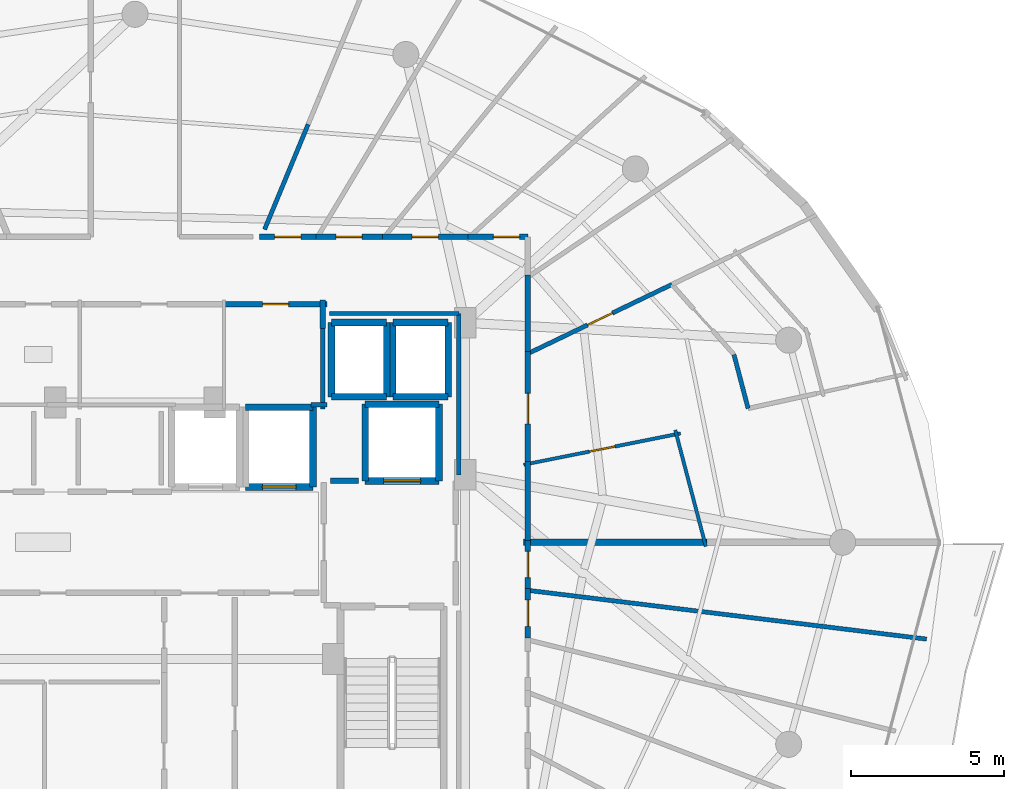
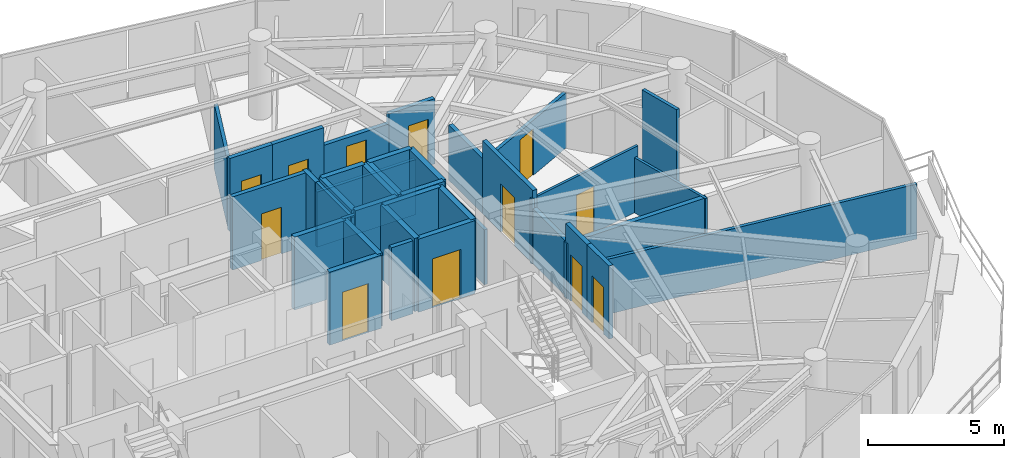
# One storey, part 24 of 29: 38 walls, 12 doors, 12 openings.
"""IFC4 building model written with IfcOpenShell, lengths in metres."""

from ifc_helpers import new_model, si_unit, direction, frame, frame_2d, origin, place, context, subcontext, project, spatial, rectangle, extrude, material, layer, layer_set, type_object, element, fill, save


model = new_model("IFC4")

# Units and contexts
model_context = context("Model", 3, precision=1e-05, world=origin(), true_north=direction((0.0, 1.0)))
body_context = subcontext(model_context, "Body", "Model", "MODEL_VIEW")
ifc_project = project(units=[si_unit("LENGTHUNIT", "METRE"), si_unit("AREAUNIT", "SQUARE_METRE"), si_unit("VOLUMEUNIT", "CUBIC_METRE"), si_unit("PLANEANGLEUNIT", "RADIAN"), si_unit("MASSUNIT", "GRAM", prefix="KILO")], contexts=[model_context])

# Site, building, storey
site_placement = place(None, origin())
site = spatial("IfcSite", under=ifc_project, at=site_placement, CompositionType="ELEMENT")
building_placement = place(site_placement, origin())
building = spatial("IfcBuilding", under=site, at=building_placement, Name="Vorneva Point Tower", CompositionType="ELEMENT")
storey_placement = place(building_placement, frame((0.0, 0.0, 259.10009765625)))
storey = spatial("IfcBuildingStorey", under=building, at=storey_placement, Name="L70", CompositionType="ELEMENT", Elevation=259.10009765625)

# Wall, opening, door
ifc_material_1 = material(Name="Concrete B60 (C50/60)", Category="concrete")
ifc_layer_1 = layer(ifc_material_1, 0.35009765625)
ifc_layer_set_1 = layer_set([ifc_layer_1], Name="Concrete B60 (C50/60)")
wall_type_1 = type_object("IfcWallType", Name="WL-CORE-350", PredefinedType="SHEAR", material=ifc_layer_set_1)
wall_1_placement = place(storey_placement, frame((45.5, 28.0, 0.0), z_axis=(0.0, 0.0, 1.0), x_axis=(1.0, 0.0, 0.0)))
wall_1 = element("IfcWall", 1, at=wall_1_placement, inside=storey, type_object=wall_type_1, Name="L70 Lift FFL2 Shaft Wall -Y", PredefinedType="SHEAR", context=body_context, shape_type="SweptSolid", body=[
    extrude(rectangle(XDim=2.39990234375, YDim=0.219970703125, at=frame_2d((1.199951171875, 0.0))), origin(), (0.0, 0.0, 1.0), 3.289794921875),
])
opening_1_placement = place(wall_1_placement, frame((0.60009765625, 0.0, 0.0)))
opening_1 = element("IfcOpeningElement", 2, at=opening_1_placement, cuts=wall_1, Name="Opening LD-02", PredefinedType="OPENING", context=body_context, shape_type="SweptSolid", body=[
    extrude(rectangle(XDim=1.199951171875, YDim=2.199951171875, at=frame_2d((0.60009765625, 1.10009765625))), frame((0.0, 0.125, 0.0), z_axis=(0.0, -1.0, 0.0), x_axis=(1.0, 0.0, 0.0)), (0.0, 0.0, 1.0), 0.249755859375),
])
ifc_material_2 = material(Name="Brushed stainless steel S304", Category="steel")
door_type_1 = type_object("IfcDoorType", Name="LD-FIRE-1200", OperationType="SLIDING_TO_LEFT", PredefinedType="DOOR", material=ifc_material_2)
door_1_placement = place(opening_1_placement, origin())
door_1 = element("IfcDoor", 3, at=door_1_placement, inside=storey, type_object=door_type_1, Name="L70 Lift FFL2 Sliding Landing Door", OperationType="SLIDING_TO_LEFT", OverallHeight=2.199951171875, OverallWidth=1.199951171875, PredefinedType="DOOR", context=body_context, shape_type="SweptSolid", body=[
    extrude(rectangle(XDim=1.199951171875, YDim=2.199951171875, at=frame_2d((0.60009765625, 1.10009765625))), frame((0.0, 0.02490234375, 0.0), z_axis=(0.0, -1.0, 0.0), x_axis=(1.0, 0.0, 0.0)), (0.0, 0.0, 1.0), 0.050048828125),
])
fill(opening_1, door_1)

# Walls
wall_2_placement = place(storey_placement, frame((47.89990234375, 28.0, 0.0), z_axis=(0.0, 0.0, 1.0), x_axis=(0.0, 1.0, 0.0)))
element("IfcWall", 4, at=wall_2_placement, inside=storey, type_object=wall_type_1, Name="L70 Lift FFL2 Shaft Wall +X", PredefinedType="SHEAR", context=body_context, shape_type="SweptSolid", body=[
    extrude(rectangle(XDim=2.5, YDim=0.219970703125, at=frame_2d((1.25, 0.0))), origin(), (0.0, 0.0, 1.0), 3.289794921875),
])
wall_3_placement = place(storey_placement, frame((47.89990234375, 30.5, 0.0), z_axis=(0.0, 0.0, 1.0), x_axis=(-1.0, 0.0, 0.0)))
element("IfcWall", 5, at=wall_3_placement, inside=storey, type_object=wall_type_1, Name="L70 Lift FFL2 Shaft Wall +Y", PredefinedType="SHEAR", context=body_context, shape_type="SweptSolid", body=[
    extrude(rectangle(XDim=2.39990234375, YDim=0.219970703125, at=frame_2d((1.199951171875, 0.0))), origin(), (0.0, 0.0, 1.0), 3.289794921875),
])
wall_4_placement = place(storey_placement, frame((45.5, 30.5, 0.0), z_axis=(0.0, 0.0, 1.0), x_axis=(0.0, -1.0, 0.0)))
element("IfcWall", 6, at=wall_4_placement, inside=storey, type_object=wall_type_1, Name="L70 Lift FFL2 Shaft Wall -X", PredefinedType="SHEAR", context=body_context, shape_type="SweptSolid", body=[
    extrude(rectangle(XDim=2.5, YDim=0.219970703125, at=frame_2d((1.25, 0.0))), origin(), (0.0, 0.0, 1.0), 3.289794921875),
])

# Wall, opening, door
ifc_material_3 = material(Name="Fire-rated acoustic gypsum stud partition", Category="gypsum")
ifc_layer_2 = layer(ifc_material_3, 0.110107421875)
ifc_layer_set_2 = layer_set([ifc_layer_2], Name="Fire-rated acoustic gypsum stud partition")
wall_type_2 = type_object("IfcWallType", Name="WL-PART-110", PredefinedType="PARTITIONING", material=ifc_layer_set_2)
wall_5_placement = place(storey_placement, frame((50.66259765625, 28.526611328125, 0.0), z_axis=(0.0, 0.0, 1.0), x_axis=(0.980652709614, 0.195755620935, 0.0)))
wall_5 = element("IfcWall", 7, at=wall_5_placement, inside=storey, type_object=wall_type_2, Name="L70 Interior Partition 124", PredefinedType="PARTITIONING", context=body_context, shape_type="SweptSolid", body=[
    extrude(rectangle(XDim=5.20947265625, YDim=0.110107421875, at=frame_2d((2.604736328125, 0.0))), origin(), (0.0, 0.0, 1.0), 2.935791015625),
])
opening_2_placement = place(wall_5_placement, frame((2.1796875, 0.0, 0.0)))
opening_2 = element("IfcOpeningElement", 8, at=opening_2_placement, cuts=wall_5, Name="Opening ID-02", PredefinedType="OPENING", context=body_context, shape_type="SweptSolid", body=[
    extrude(rectangle(XDim=0.85009765625, YDim=2.10009765625, at=frame_2d((0.425048828125, 1.050048828125))), frame((0.0, 0.06982421875, 0.0), z_axis=(0.0, -1.0, 0.0), x_axis=(1.0, 0.0, 0.0)), (0.0, 0.0, 1.0), 0.139892578125),
])
ifc_material_4 = material(Name="Engineered oak fire-rated door leaf", Category="wood")
door_type_2 = type_object("IfcDoorType", Name="DR-BATH-850", OperationType="NOTDEFINED", PredefinedType="DOOR", material=ifc_material_4)
door_2_placement = place(opening_2_placement, origin())
door_2 = element("IfcDoor", 9, at=door_2_placement, inside=storey, type_object=door_type_2, Name="L70 Door Living and Dining Room L70-04 / Bathroom L70-04", OperationType="SINGLE_SWING_LEFT", OverallHeight=2.10009765625, OverallWidth=0.85009765625, PredefinedType="DOOR", context=body_context, shape_type="SweptSolid", body=[
    extrude(rectangle(XDim=0.85009765625, YDim=2.10009765625, at=frame_2d((0.425048828125, 1.050048828125))), frame((0.0, 0.02490234375, 0.0), z_axis=(0.0, -1.0, 0.0), x_axis=(1.0, 0.0, 0.0)), (0.0, 0.0, 1.0), 0.050048828125),
])
fill(opening_2, door_2)

# Walls
wall_6_placement = place(storey_placement, frame((55.598388671875, 29.654296875, 0.0), z_axis=(0.0, 0.0, 1.0), x_axis=(0.25449329928, -0.967074537263, 0.0)))
element("IfcWall", 10, at=wall_6_placement, inside=storey, type_object=wall_type_2, Name="L70 Interior Partition 125", PredefinedType="PARTITIONING", context=body_context, shape_type="SweptSolid", body=[
    extrude(rectangle(XDim=3.9189453125, YDim=0.110107421875, at=frame_2d((1.95947265625, 0.0))), origin(), (0.0, 0.0, 1.0), 2.48193359375),
])
ifc_layer_3 = layer(ifc_material_3, 0.139892578125)
ifc_layer_set_3 = layer_set([ifc_layer_3], Name="Fire-rated acoustic gypsum stud partition")
wall_type_3 = type_object("IfcWallType", Name="WL-PART-140", PredefinedType="PARTITIONING", material=ifc_layer_set_3)
wall_7_placement = place(storey_placement, frame((63.7880859375, 22.844970703125, 0.0), z_axis=(0.0, 0.0, 1.0), x_axis=(-0.992598006299, 0.121446275738, 0.0)))
element("IfcWall", 11, at=wall_7_placement, inside=storey, type_object=wall_type_3, Name="L70 Interior Partition 121", PredefinedType="PARTITIONING", context=body_context, shape_type="SweptSolid", body=[
    extrude(rectangle(XDim=13.0849609375, YDim=0.139892578125, at=frame_2d((6.54248046875, 0.0))), origin(), (0.0, 0.0, 1.0), 2.48193359375),
])
wall_8_placement = place(storey_placement, frame((57.972900390625, 30.35888671875, 0.0), z_axis=(0.0, 0.0, 1.0), x_axis=(-0.254274526126, 0.967132082687, 0.0)))
element("IfcWall", 12, at=wall_8_placement, inside=storey, type_object=wall_type_3, Name="L70 Interior Partition 129", PredefinedType="PARTITIONING", context=body_context, shape_type="SweptSolid", body=[
    extrude(rectangle(XDim=1.812744140625, YDim=0.139892578125, at=frame_2d((0.90625, 0.0))), origin(), (0.0, 0.0, 1.0), 3.289794921875),
])

# Wall, opening, door
wall_9_placement = place(storey_placement, frame((55.49169921875, 34.3994140625, 0.0), z_axis=(0.0, 0.0, 1.0), x_axis=(-0.901416162018, -0.432953695968, 0.0)))
wall_9 = element("IfcWall", 13, at=wall_9_placement, inside=storey, type_object=wall_type_3, Name="L70 Interior Partition 133", PredefinedType="PARTITIONING", context=body_context, shape_type="SweptSolid", body=[
    extrude(rectangle(XDim=5.204833984375, YDim=0.139892578125, at=frame_2d((2.6025390625, 0.0))), origin(), (0.0, 0.0, 1.0), 2.48193359375),
])
opening_3_placement = place(wall_9_placement, frame((2.15234375, 0.0, 0.0)))
opening_3 = element("IfcOpeningElement", 14, at=opening_3_placement, cuts=wall_9, Name="Opening ID-01", PredefinedType="OPENING", context=body_context, shape_type="SweptSolid", body=[
    extrude(rectangle(XDim=0.89990234375, YDim=2.10009765625, at=frame_2d((0.449951171875, 1.050048828125))), frame((0.0, 0.0849609375, 0.0), z_axis=(0.0, -1.0, 0.0), x_axis=(1.0, 0.0, 0.0)), (0.0, 0.0, 1.0), 0.169677734375),
])
door_type_3 = type_object("IfcDoorType", Name="DR-ROOM-900", OperationType="NOTDEFINED", PredefinedType="DOOR", material=ifc_material_4)
door_3_placement = place(opening_3_placement, origin())
door_3 = element("IfcDoor", 15, at=door_3_placement, inside=storey, type_object=door_type_3, Name="L70 Door Living and Dining Room L70-04 / Master Bedroom L70-04.1", OperationType="SINGLE_SWING_LEFT", OverallHeight=2.10009765625, OverallWidth=0.89990234375, PredefinedType="DOOR", context=body_context, shape_type="SweptSolid", body=[
    extrude(rectangle(XDim=0.89990234375, YDim=2.10009765625, at=frame_2d((0.449951171875, 1.050048828125))), frame((0.0, 0.02490234375, 0.0), z_axis=(0.0, -1.0, 0.0), x_axis=(1.0, 0.0, 0.0)), (0.0, 0.0, 1.0), 0.050048828125),
])
fill(opening_3, door_3)

# Walls
wall_10_placement = place(storey_placement, frame((43.735107421875, 30.47998046875, 0.0), z_axis=(0.0, 0.0, 1.0), x_axis=(1.0, 0.0, 0.0)))
element("IfcWall", 16, at=wall_10_placement, inside=storey, type_object=wall_type_3, Name="L70 Interior Closure Partition 145", PredefinedType="PARTITIONING", context=body_context, shape_type="SweptSolid", body=[
    extrude(rectangle(XDim=0.52490234375, YDim=0.139892578125, at=frame_2d((0.262451171875, 0.0))), origin(), (0.0, 0.0, 1.0), 3.289794921875),
])
wall_11_placement = place(storey_placement, frame((44.1201171875, 30.340087890625, 0.0), z_axis=(0.0, 0.0, 1.0), x_axis=(0.0, 1.0, 0.0)))
element("IfcWall", 17, at=wall_11_placement, inside=storey, type_object=wall_type_3, Name="L70 Interior Closure Partition 146", PredefinedType="PARTITIONING", context=body_context, shape_type="SweptSolid", body=[
    extrude(rectangle(XDim=2.659912109375, YDim=0.139892578125, at=frame_2d((1.330078125, 0.0))), origin(), (0.0, 0.0, 1.0), 3.289794921875),
])
wall_12_placement = place(storey_placement, frame((48.550048828125, 28.196044921875, 0.0), z_axis=(0.0, 0.0, 1.0), x_axis=(0.0, 1.0, 0.0)))
element("IfcWall", 18, at=wall_12_placement, inside=storey, type_object=wall_type_3, Name="L70 Interior Closure Partition 160", PredefinedType="PARTITIONING", context=body_context, shape_type="SweptSolid", body=[
    extrude(rectangle(XDim=5.25390625, YDim=0.139892578125, at=frame_2d((2.626953125, 0.0))), origin(), (0.0, 0.0, 1.0), 2.48193359375),
])
wall_13_placement = place(storey_placement, frame((48.550048828125, 33.449951171875, 0.0), z_axis=(0.0, 0.0, 1.0), x_axis=(-1.0, 0.0, 0.0)))
element("IfcWall", 19, at=wall_13_placement, inside=storey, type_object=wall_type_3, Name="L70 Interior Closure Partition 161", PredefinedType="PARTITIONING", context=body_context, shape_type="SweptSolid", body=[
    extrude(rectangle(XDim=4.2099609375, YDim=0.139892578125, at=frame_2d((2.10498046875, 0.0))), origin(), (0.0, 0.0, 1.0), 2.48193359375),
])
wall_14_placement = place(storey_placement, frame((43.638916015625, 39.614013671875, 0.0), z_axis=(0.0, 0.0, 1.0), x_axis=(-0.38270095978, -0.923872272224, 0.0)))
element("IfcWall", 20, at=wall_14_placement, inside=storey, type_object=wall_type_3, Name="L70 Interior Closure Partition 171", PredefinedType="PARTITIONING", context=body_context, shape_type="SweptSolid", body=[
    extrude(rectangle(XDim=3.705078125, YDim=0.139892578125, at=frame_2d((1.8525390625, 0.0))), origin(), (0.0, 0.0, 1.0), 2.935791015625),
])

# Wall, opening, door
ifc_material_5 = material(Name="Autoclaved aerated concrete blockwork", Category="masonry")
ifc_layer_4 = layer(ifc_material_5, 0.179931640625)
ifc_layer_set_4 = layer_set([ifc_layer_4], Name="Autoclaved aerated concrete blockwork")
wall_type_4 = type_object("IfcWallType", Name="WL-PART-180", PredefinedType="PARTITIONING", material=ifc_layer_set_4)
wall_15_placement = place(storey_placement, frame((44.260009765625, 33.760009765625, 0.0), z_axis=(0.0, 0.0, 1.0), x_axis=(-1.0, 0.0, 0.0)))
wall_15 = element("IfcWall", 21, at=wall_15_placement, inside=storey, type_object=wall_type_4, Name="L70 Interior Partition 026", PredefinedType="PARTITIONING", context=body_context, shape_type="SweptSolid", body=[
    extrude(rectangle(XDim=3.360107421875, YDim=0.179931640625, at=frame_2d((1.68017578125, 0.0))), origin(), (0.0, 0.0, 1.0), 3.289794921875),
])
opening_4_placement = place(wall_15_placement, frame((1.2548828125, 0.0, 0.0)))
opening_4 = element("IfcOpeningElement", 22, at=opening_4_placement, cuts=wall_15, Name="Opening ID-02", PredefinedType="OPENING", context=body_context, shape_type="SweptSolid", body=[
    extrude(rectangle(XDim=0.85009765625, YDim=2.10009765625, at=frame_2d((0.425048828125, 1.050048828125))), frame((0.0, 0.10498046875, 0.0), z_axis=(0.0, -1.0, 0.0), x_axis=(1.0, 0.0, 0.0)), (0.0, 0.0, 1.0), 0.209716796875),
])
door_4_placement = place(opening_4_placement, origin())
door_4 = element("IfcDoor", 23, at=door_4_placement, inside=storey, type_object=door_type_2, Name="L70 Door Accessible WC / L70 Circulation Corridor", OperationType="SINGLE_SWING_RIGHT", OverallHeight=2.10009765625, OverallWidth=0.85009765625, PredefinedType="DOOR", context=body_context, shape_type="SweptSolid", body=[
    extrude(rectangle(XDim=0.85009765625, YDim=2.10009765625, at=frame_2d((0.425048828125, 1.050048828125))), frame((0.0, 0.02490234375, 0.0), z_axis=(0.0, -1.0, 0.0), x_axis=(1.0, 0.0, 0.0)), (0.0, 0.0, 1.0), 0.050048828125),
])
fill(opening_4, door_4)

# Wall
wall_16_placement = place(storey_placement, frame((44.1201171875, 32.969970703125, 0.0), z_axis=(0.0, 0.0, 1.0), x_axis=(0.0, 1.0, 0.0)))
element("IfcWall", 24, at=wall_16_placement, inside=storey, type_object=wall_type_4, Name="L70 Interior Partition 027", PredefinedType="PARTITIONING", context=body_context, shape_type="SweptSolid", body=[
    extrude(rectangle(XDim=0.929931640625, YDim=0.179931640625, at=frame_2d((0.46484375, 0.0))), origin(), (0.0, 0.0, 1.0), 3.289794921875),
])

# Wall, opening, door
wall_17_placement = place(storey_placement, frame((50.800048828125, 22.8798828125, 0.0), z_axis=(0.0, 0.0, 1.0), x_axis=(0.0, 1.0, 0.0)))
wall_17 = element("IfcWall", 25, at=wall_17_placement, inside=storey, type_object=wall_type_4, Name="L70 Interior Partition 053", PredefinedType="PARTITIONING", context=body_context, shape_type="SweptSolid", body=[
    extrude(rectangle(XDim=1.614013671875, YDim=0.179931640625, at=frame_2d((0.80712890625, 0.0))), origin(), (0.0, 0.0, 1.0), 3.289794921875),
])
opening_5_placement = place(wall_17_placement, frame((0.382080078125, 0.0, 0.0)))
opening_5 = element("IfcOpeningElement", 26, at=opening_5_placement, cuts=wall_17, Name="Opening ID-02", PredefinedType="OPENING", context=body_context, shape_type="SweptSolid", body=[
    extrude(rectangle(XDim=0.85009765625, YDim=2.10009765625, at=frame_2d((0.425048828125, 1.050048828125))), frame((0.0, 0.10498046875, 0.0), z_axis=(0.0, -1.0, 0.0), x_axis=(1.0, 0.0, 0.0)), (0.0, 0.0, 1.0), 0.209716796875),
])
door_5_placement = place(opening_5_placement, origin())
door_5 = element("IfcDoor", 27, at=door_5_placement, inside=storey, type_object=door_type_2, Name="L70 Access Door L70 Circulation Corridor", OperationType="SINGLE_SWING_RIGHT", OverallHeight=2.10009765625, OverallWidth=0.85009765625, PredefinedType="DOOR", context=body_context, shape_type="SweptSolid", body=[
    extrude(rectangle(XDim=0.85009765625, YDim=2.10009765625, at=frame_2d((0.425048828125, 1.050048828125))), frame((0.0, 0.02490234375, 0.0), z_axis=(0.0, -1.0, 0.0), x_axis=(1.0, 0.0, 0.0)), (0.0, 0.0, 1.0), 0.050048828125),
])
fill(opening_5, door_5)

wall_18_placement = place(storey_placement, frame((50.800048828125, 24.493896484375, 0.0), z_axis=(0.0, 0.0, 1.0), x_axis=(0.0, 1.0, 0.0)))
wall_18 = element("IfcWall", 28, at=wall_18_placement, inside=storey, type_object=wall_type_4, Name="L70 Interior Partition 054", PredefinedType="PARTITIONING", context=body_context, shape_type="SweptSolid", body=[
    extrude(rectangle(XDim=1.566162109375, YDim=0.179931640625, at=frame_2d((0.783203125, 0.0))), origin(), (0.0, 0.0, 1.0), 3.289794921875),
])
opening_6_placement = place(wall_18_placement, frame((0.35791015625, 0.0, 0.0)))
opening_6 = element("IfcOpeningElement", 29, at=opening_6_placement, cuts=wall_18, Name="Opening ID-02", PredefinedType="OPENING", context=body_context, shape_type="SweptSolid", body=[
    extrude(rectangle(XDim=0.85009765625, YDim=2.10009765625, at=frame_2d((0.425048828125, 1.050048828125))), frame((0.0, 0.10498046875, 0.0), z_axis=(0.0, -1.0, 0.0), x_axis=(1.0, 0.0, 0.0)), (0.0, 0.0, 1.0), 0.209716796875),
])
door_6_placement = place(opening_6_placement, origin())
door_6 = element("IfcDoor", 30, at=door_6_placement, inside=storey, type_object=door_type_2, Name="L70 Access Door L70 Circulation Corridor", OperationType="SINGLE_SWING_LEFT", OverallHeight=2.10009765625, OverallWidth=0.85009765625, PredefinedType="DOOR", context=body_context, shape_type="SweptSolid", body=[
    extrude(rectangle(XDim=0.85009765625, YDim=2.10009765625, at=frame_2d((0.425048828125, 1.050048828125))), frame((0.0, 0.02490234375, 0.0), z_axis=(0.0, -1.0, 0.0), x_axis=(1.0, 0.0, 0.0)), (0.0, 0.0, 1.0), 0.050048828125),
])
fill(opening_6, door_6)

wall_19_placement = place(storey_placement, frame((50.800048828125, 28.493896484375, 0.0), z_axis=(0.0, 0.0, 1.0), x_axis=(0.0, 1.0, 0.0)))
wall_19 = element("IfcWall", 31, at=wall_19_placement, inside=storey, type_object=wall_type_4, Name="L70 Interior Partition 055", PredefinedType="PARTITIONING", context=body_context, shape_type="SweptSolid", body=[
    extrude(rectangle(XDim=3.718994140625, YDim=0.179931640625, at=frame_2d((1.859375, 0.0))), origin(), (0.0, 0.0, 1.0), 3.289794921875),
])
opening_7_placement = place(wall_19_placement, frame((1.359619140625, 0.0, 0.0)))
opening_7 = element("IfcOpeningElement", 32, at=opening_7_placement, cuts=wall_19, Name="Opening UD-01", PredefinedType="OPENING", context=body_context, shape_type="SweptSolid", body=[
    extrude(rectangle(XDim=1.0, YDim=2.14990234375, at=frame_2d((0.5, 1.074951171875))), frame((0.0, 0.10498046875, 0.0), z_axis=(0.0, -1.0, 0.0), x_axis=(1.0, 0.0, 0.0)), (0.0, 0.0, 1.0), 0.209716796875),
])
door_type_4 = type_object("IfcDoorType", Name="DR-UNIT-1000", OperationType="NOTDEFINED", PredefinedType="DOOR", material=ifc_material_4)
door_7_placement = place(opening_7_placement, origin())
door_7 = element("IfcDoor", 33, at=door_7_placement, inside=storey, type_object=door_type_4, Name="L70 Door L70 Circulation Corridor / Living and Dining Room L70-04", OperationType="SINGLE_SWING_RIGHT", OverallHeight=2.14990234375, OverallWidth=1.0, PredefinedType="DOOR", context=body_context, shape_type="SweptSolid", body=[
    extrude(rectangle(XDim=1.0, YDim=2.14990234375, at=frame_2d((0.5, 1.074951171875))), frame((0.0, 0.02490234375, 0.0), z_axis=(0.0, -1.0, 0.0), x_axis=(1.0, 0.0, 0.0)), (0.0, 0.0, 1.0), 0.050048828125),
])
fill(opening_7, door_7)

# Walls
wall_20_placement = place(storey_placement, frame((50.800048828125, 25.919921875, 0.0), z_axis=(0.0, 0.0, 1.0), x_axis=(0.0, 1.0, 0.0)))
element("IfcWall", 34, at=wall_20_placement, inside=storey, type_object=wall_type_4, Name="L70 Interior Partition 056", PredefinedType="PARTITIONING", context=body_context, shape_type="SweptSolid", body=[
    extrude(rectangle(XDim=2.714111328125, YDim=0.179931640625, at=frame_2d((1.35693359375, 0.0))), origin(), (0.0, 0.0, 1.0), 2.48193359375),
])
wall_21_placement = place(storey_placement, frame((50.800048828125, 32.212890625, 0.0), z_axis=(0.0, 0.0, 1.0), x_axis=(0.0, 1.0, 0.0)))
element("IfcWall", 35, at=wall_21_placement, inside=storey, type_object=wall_type_4, Name="L70 Interior Partition 057", PredefinedType="PARTITIONING", context=body_context, shape_type="SweptSolid", body=[
    extrude(rectangle(XDim=2.4990234375, YDim=0.179931640625, at=frame_2d((1.24951171875, 0.0))), origin(), (0.0, 0.0, 1.0), 2.48193359375),
])

# Wall, opening, door
wall_22_placement = place(storey_placement, frame((50.800048828125, 35.949951171875, 0.0), z_axis=(0.0, 0.0, 1.0), x_axis=(-1.0, 0.0, 0.0)))
wall_22 = element("IfcWall", 36, at=wall_22_placement, inside=storey, type_object=wall_type_4, Name="L70 Interior Partition 059", PredefinedType="PARTITIONING", context=body_context, shape_type="SweptSolid", body=[
    extrude(rectangle(XDim=1.9599609375, YDim=0.179931640625, at=frame_2d((0.97998046875, 0.0))), origin(), (0.0, 0.0, 1.0), 2.935791015625),
])
opening_8_placement = place(wall_22_placement, frame((0.27490234375, 0.0, 0.0)))
opening_8 = element("IfcOpeningElement", 37, at=opening_8_placement, cuts=wall_22, Name="Opening ID-02", PredefinedType="OPENING", context=body_context, shape_type="SweptSolid", body=[
    extrude(rectangle(XDim=0.85009765625, YDim=2.10009765625, at=frame_2d((0.425048828125, 1.050048828125))), frame((0.0, 0.10498046875, 0.0), z_axis=(0.0, -1.0, 0.0), x_axis=(1.0, 0.0, 0.0)), (0.0, 0.0, 1.0), 0.209716796875),
])
door_8_placement = place(opening_8_placement, origin())
door_8 = element("IfcDoor", 38, at=door_8_placement, inside=storey, type_object=door_type_2, Name="L70 Access Door L70 Circulation Corridor", OperationType="SINGLE_SWING_RIGHT", OverallHeight=2.10009765625, OverallWidth=0.85009765625, PredefinedType="DOOR", context=body_context, shape_type="SweptSolid", body=[
    extrude(rectangle(XDim=0.85009765625, YDim=2.10009765625, at=frame_2d((0.425048828125, 1.050048828125))), frame((0.0, 0.02490234375, 0.0), z_axis=(0.0, -1.0, 0.0), x_axis=(1.0, 0.0, 0.0)), (0.0, 0.0, 1.0), 0.050048828125),
])
fill(opening_8, door_8)

wall_23_placement = place(storey_placement, frame((48.840087890625, 35.949951171875, 0.0), z_axis=(0.0, 0.0, 1.0), x_axis=(-1.0, 0.0, 0.0)))
wall_23 = element("IfcWall", 39, at=wall_23_placement, inside=storey, type_object=wall_type_4, Name="L70 Interior Partition 060", PredefinedType="PARTITIONING", context=body_context, shape_type="SweptSolid", body=[
    extrude(rectangle(XDim=2.773193359375, YDim=0.179931640625, at=frame_2d((1.38671875, 0.0))), origin(), (0.0, 0.0, 1.0), 2.48193359375),
])
opening_9_placement = place(wall_23_placement, frame((0.96142578125, 0.0, 0.0)))
opening_9 = element("IfcOpeningElement", 40, at=opening_9_placement, cuts=wall_23, Name="Opening ID-02", PredefinedType="OPENING", context=body_context, shape_type="SweptSolid", body=[
    extrude(rectangle(XDim=0.85009765625, YDim=2.10009765625, at=frame_2d((0.425048828125, 1.050048828125))), frame((0.0, 0.10498046875, 0.0), z_axis=(0.0, -1.0, 0.0), x_axis=(1.0, 0.0, 0.0)), (0.0, 0.0, 1.0), 0.209716796875),
])
door_9_placement = place(opening_9_placement, origin())
door_9 = element("IfcDoor", 41, at=door_9_placement, inside=storey, type_object=door_type_2, Name="L70 Access Door L70 Circulation Corridor", OperationType="SINGLE_SWING_LEFT", OverallHeight=2.10009765625, OverallWidth=0.85009765625, PredefinedType="DOOR", context=body_context, shape_type="SweptSolid", body=[
    extrude(rectangle(XDim=0.85009765625, YDim=2.10009765625, at=frame_2d((0.425048828125, 1.050048828125))), frame((0.0, 0.02490234375, 0.0), z_axis=(0.0, -1.0, 0.0), x_axis=(1.0, 0.0, 0.0)), (0.0, 0.0, 1.0), 0.050048828125),
])
fill(opening_9, door_9)

wall_24_placement = place(storey_placement, frame((46.06689453125, 35.949951171875, 0.0), z_axis=(0.0, 0.0, 1.0), x_axis=(-1.0, 0.0, 0.0)))
wall_24 = element("IfcWall", 42, at=wall_24_placement, inside=storey, type_object=wall_type_4, Name="L70 Interior Partition 061", PredefinedType="PARTITIONING", context=body_context, shape_type="SweptSolid", body=[
    extrude(rectangle(XDim=2.178955078125, YDim=0.179931640625, at=frame_2d((1.08935546875, 0.0))), origin(), (0.0, 0.0, 1.0), 3.289794921875),
])
opening_10_placement = place(wall_24_placement, frame((0.66455078125, 0.0, 0.0)))
opening_10 = element("IfcOpeningElement", 43, at=opening_10_placement, cuts=wall_24, Name="Opening ID-02", PredefinedType="OPENING", context=body_context, shape_type="SweptSolid", body=[
    extrude(rectangle(XDim=0.85009765625, YDim=2.10009765625, at=frame_2d((0.425048828125, 1.050048828125))), frame((0.0, 0.10498046875, 0.0), z_axis=(0.0, -1.0, 0.0), x_axis=(1.0, 0.0, 0.0)), (0.0, 0.0, 1.0), 0.209716796875),
])
door_10_placement = place(opening_10_placement, origin())
door_10 = element("IfcDoor", 44, at=door_10_placement, inside=storey, type_object=door_type_2, Name="L70 Access Door L70 Circulation Corridor", OperationType="SINGLE_SWING_RIGHT", OverallHeight=2.10009765625, OverallWidth=0.85009765625, PredefinedType="DOOR", context=body_context, shape_type="SweptSolid", body=[
    extrude(rectangle(XDim=0.85009765625, YDim=2.10009765625, at=frame_2d((0.425048828125, 1.050048828125))), frame((0.0, 0.02490234375, 0.0), z_axis=(0.0, -1.0, 0.0), x_axis=(1.0, 0.0, 0.0)), (0.0, 0.0, 1.0), 0.050048828125),
])
fill(opening_10, door_10)

wall_25_placement = place(storey_placement, frame((43.887939453125, 35.949951171875, 0.0), z_axis=(0.0, 0.0, 1.0), x_axis=(-1.0, 0.0, 0.0)))
wall_25 = element("IfcWall", 45, at=wall_25_placement, inside=storey, type_object=wall_type_4, Name="L70 Interior Partition 062", PredefinedType="PARTITIONING", context=body_context, shape_type="SweptSolid", body=[
    extrude(rectangle(XDim=1.826904296875, YDim=0.179931640625, at=frame_2d((0.91357421875, 0.0))), origin(), (0.0, 0.0, 1.0), 3.289794921875),
])
opening_11_placement = place(wall_25_placement, frame((0.488525390625, 0.0, 0.0)))
opening_11 = element("IfcOpeningElement", 46, at=opening_11_placement, cuts=wall_25, Name="Opening ID-02", PredefinedType="OPENING", context=body_context, shape_type="SweptSolid", body=[
    extrude(rectangle(XDim=0.85009765625, YDim=2.10009765625, at=frame_2d((0.425048828125, 1.050048828125))), frame((0.0, 0.10498046875, 0.0), z_axis=(0.0, -1.0, 0.0), x_axis=(1.0, 0.0, 0.0)), (0.0, 0.0, 1.0), 0.209716796875),
])
door_11_placement = place(opening_11_placement, origin())
door_11 = element("IfcDoor", 47, at=door_11_placement, inside=storey, type_object=door_type_2, Name="L70 Access Door L70 Circulation Corridor", OperationType="SINGLE_SWING_LEFT", OverallHeight=2.10009765625, OverallWidth=0.85009765625, PredefinedType="DOOR", context=body_context, shape_type="SweptSolid", body=[
    extrude(rectangle(XDim=0.85009765625, YDim=2.10009765625, at=frame_2d((0.425048828125, 1.050048828125))), frame((0.0, 0.02490234375, 0.0), z_axis=(0.0, -1.0, 0.0), x_axis=(1.0, 0.0, 0.0)), (0.0, 0.0, 1.0), 0.050048828125),
])
fill(opening_11, door_11)

# Walls
wall_26_placement = place(storey_placement, frame((45.280029296875, 28.0, 0.0), z_axis=(0.0, 0.0, 1.0), x_axis=(-1.0, 0.0, 0.0)))
element("IfcWall", 48, at=wall_26_placement, inside=storey, type_object=wall_type_4, Name="L70 Interior Closure Partition 142", PredefinedType="PARTITIONING", context=body_context, shape_type="SweptSolid", body=[
    extrude(rectangle(XDim=0.9150390625, YDim=0.179931640625, at=frame_2d((0.45751953125, 0.0))), origin(), (0.0, 0.0, 1.0), 3.289794921875),
])
ifc_layer_5 = layer(ifc_material_5, 0.199951171875)
ifc_layer_set_5 = layer_set([ifc_layer_5], Name="Autoclaved aerated concrete blockwork")
wall_type_5 = type_object("IfcWallType", Name="WL-PART-200", PredefinedType="PARTITIONING", material=ifc_layer_set_5)
wall_27_placement = place(storey_placement, frame((56.637939453125, 26.0, 0.0), z_axis=(0.0, 0.0, 1.0), x_axis=(-1.0, 0.0, 0.0)))
element("IfcWall", 49, at=wall_27_placement, inside=storey, type_object=wall_type_5, Name="L70 Interior Partition 123", PredefinedType="PARTITIONING", context=body_context, shape_type="SweptSolid", body=[
    extrude(rectangle(XDim=5.97802734375, YDim=0.199951171875, at=frame_2d((2.989013671875, 0.0))), origin(), (0.0, 0.0, 1.0), 2.48193359375),
])

# Wall, opening, door
ifc_material_6 = material(Name="Concrete B50 (C40/50)", Category="concrete")
ifc_layer_6 = layer(ifc_material_6, 0.219970703125)
ifc_layer_set_6 = layer_set([ifc_layer_6], Name="Concrete B50 (C40/50)")
wall_type_6 = type_object("IfcWallType", Name="WL-SHFT-220", PredefinedType="SOLIDWALL", material=ifc_layer_set_6)
wall_28_placement = place(storey_placement, frame((41.60009765625, 27.800048828125, 0.0), z_axis=(0.0, 0.0, 1.0), x_axis=(1.0, 0.0, 0.0)))
wall_28 = element("IfcWall", 50, at=wall_28_placement, inside=storey, type_object=wall_type_6, Name="L70 Lift PL8 Shaft Wall -Y", PredefinedType="SOLIDWALL", context=body_context, shape_type="SweptSolid", body=[
    extrude(rectangle(XDim=2.199951171875, YDim=0.219970703125, at=frame_2d((1.10009765625, 0.0))), origin(), (0.0, 0.0, 1.0), 3.289794921875),
])
opening_12_placement = place(wall_28_placement, frame((0.550048828125, 0.0, 0.0)))
opening_12 = element("IfcOpeningElement", 51, at=opening_12_placement, cuts=wall_28, Name="Opening LD-01", PredefinedType="OPENING", context=body_context, shape_type="SweptSolid", body=[
    extrude(rectangle(XDim=1.10009765625, YDim=2.199951171875, at=frame_2d((0.550048828125, 1.10009765625))), frame((0.0, 0.125, 0.0), z_axis=(0.0, -1.0, 0.0), x_axis=(1.0, 0.0, 0.0)), (0.0, 0.0, 1.0), 0.249755859375),
])
door_type_5 = type_object("IfcDoorType", Name="LD-PASS-1100", OperationType="SLIDING_TO_LEFT", PredefinedType="DOOR", material=ifc_material_2)
door_12_placement = place(opening_12_placement, origin())
door_12 = element("IfcDoor", 52, at=door_12_placement, inside=storey, type_object=door_type_5, Name="L70 Lift PL8 Sliding Landing Door", OperationType="SLIDING_TO_LEFT", OverallHeight=2.199951171875, OverallWidth=1.10009765625, PredefinedType="DOOR", context=body_context, shape_type="SweptSolid", body=[
    extrude(rectangle(XDim=1.10009765625, YDim=2.199951171875, at=frame_2d((0.550048828125, 1.10009765625))), frame((0.0, 0.02490234375, 0.0), z_axis=(0.0, -1.0, 0.0), x_axis=(1.0, 0.0, 0.0)), (0.0, 0.0, 1.0), 0.050048828125),
])
fill(opening_12, door_12)

# Walls
wall_29_placement = place(storey_placement, frame((43.800048828125, 27.800048828125, 0.0), z_axis=(0.0, 0.0, 1.0), x_axis=(0.0, 1.0, 0.0)))
element("IfcWall", 53, at=wall_29_placement, inside=storey, type_object=wall_type_6, Name="L70 Lift PL8 Shaft Wall +X", PredefinedType="SOLIDWALL", context=body_context, shape_type="SweptSolid", body=[
    extrude(rectangle(XDim=2.599853515625, YDim=0.219970703125, at=frame_2d((1.2998046875, 0.0))), origin(), (0.0, 0.0, 1.0), 3.289794921875),
])
wall_30_placement = place(storey_placement, frame((43.800048828125, 30.39990234375, 0.0), z_axis=(0.0, 0.0, 1.0), x_axis=(-1.0, 0.0, 0.0)))
element("IfcWall", 54, at=wall_30_placement, inside=storey, type_object=wall_type_6, Name="L70 Lift PL8 Shaft Wall +Y", PredefinedType="SOLIDWALL", context=body_context, shape_type="SweptSolid", body=[
    extrude(rectangle(XDim=2.199951171875, YDim=0.219970703125, at=frame_2d((1.10009765625, 0.0))), origin(), (0.0, 0.0, 1.0), 3.289794921875),
])
wall_31_placement = place(storey_placement, frame((44.39990234375, 30.739990234375, 0.0), z_axis=(0.0, 0.0, 1.0), x_axis=(1.0, 0.0, 0.0)))
element("IfcWall", 55, at=wall_31_placement, inside=storey, type_object=wall_type_6, Name="L70 Lift EX1 Shaft Wall -Y", PredefinedType="SOLIDWALL", context=body_context, shape_type="SweptSolid", body=[
    extrude(rectangle(XDim=1.800048828125, YDim=0.219970703125, at=frame_2d((0.89990234375, 0.0))), origin(), (0.0, 0.0, 1.0), 3.289794921875),
])
wall_32_placement = place(storey_placement, frame((46.199951171875, 30.739990234375, 0.0), z_axis=(0.0, 0.0, 1.0), x_axis=(0.0, 1.0, 0.0)))
element("IfcWall", 56, at=wall_32_placement, inside=storey, type_object=wall_type_6, Name="L70 Lift EX1 Shaft Wall +X", PredefinedType="SOLIDWALL", context=body_context, shape_type="SweptSolid", body=[
    extrude(rectangle(XDim=2.419921875, YDim=0.219970703125, at=frame_2d((1.2099609375, 0.0))), origin(), (0.0, 0.0, 1.0), 3.289794921875),
])
wall_33_placement = place(storey_placement, frame((46.199951171875, 33.159912109375, 0.0), z_axis=(0.0, 0.0, 1.0), x_axis=(-1.0, 0.0, 0.0)))
element("IfcWall", 57, at=wall_33_placement, inside=storey, type_object=wall_type_6, Name="L70 Lift EX1 Shaft Wall +Y", PredefinedType="SOLIDWALL", context=body_context, shape_type="SweptSolid", body=[
    extrude(rectangle(XDim=1.800048828125, YDim=0.219970703125, at=frame_2d((0.89990234375, 0.0))), origin(), (0.0, 0.0, 1.0), 3.289794921875),
])
wall_34_placement = place(storey_placement, frame((44.39990234375, 33.159912109375, 0.0), z_axis=(0.0, 0.0, 1.0), x_axis=(0.0, -1.0, 0.0)))
element("IfcWall", 58, at=wall_34_placement, inside=storey, type_object=wall_type_6, Name="L70 Lift EX1 Shaft Wall -X", PredefinedType="SOLIDWALL", context=body_context, shape_type="SweptSolid", body=[
    extrude(rectangle(XDim=2.419921875, YDim=0.219970703125, at=frame_2d((1.2099609375, 0.0))), origin(), (0.0, 0.0, 1.0), 3.289794921875),
])
wall_35_placement = place(storey_placement, frame((46.39990234375, 30.739990234375, 0.0), z_axis=(0.0, 0.0, 1.0), x_axis=(1.0, 0.0, 0.0)))
element("IfcWall", 59, at=wall_35_placement, inside=storey, type_object=wall_type_6, Name="L70 Lift EX2 Shaft Wall -Y", PredefinedType="SOLIDWALL", context=body_context, shape_type="SweptSolid", body=[
    extrude(rectangle(XDim=1.800048828125, YDim=0.219970703125, at=frame_2d((0.89990234375, 0.0))), origin(), (0.0, 0.0, 1.0), 3.289794921875),
])
wall_36_placement = place(storey_placement, frame((48.199951171875, 30.739990234375, 0.0), z_axis=(0.0, 0.0, 1.0), x_axis=(0.0, 1.0, 0.0)))
element("IfcWall", 60, at=wall_36_placement, inside=storey, type_object=wall_type_6, Name="L70 Lift EX2 Shaft Wall +X", PredefinedType="SOLIDWALL", context=body_context, shape_type="SweptSolid", body=[
    extrude(rectangle(XDim=2.419921875, YDim=0.219970703125, at=frame_2d((1.2099609375, 0.0))), origin(), (0.0, 0.0, 1.0), 3.289794921875),
])
wall_37_placement = place(storey_placement, frame((48.199951171875, 33.159912109375, 0.0), z_axis=(0.0, 0.0, 1.0), x_axis=(-1.0, 0.0, 0.0)))
element("IfcWall", 61, at=wall_37_placement, inside=storey, type_object=wall_type_6, Name="L70 Lift EX2 Shaft Wall +Y", PredefinedType="SOLIDWALL", context=body_context, shape_type="SweptSolid", body=[
    extrude(rectangle(XDim=1.800048828125, YDim=0.219970703125, at=frame_2d((0.89990234375, 0.0))), origin(), (0.0, 0.0, 1.0), 3.289794921875),
])
wall_38_placement = place(storey_placement, frame((46.39990234375, 33.159912109375, 0.0), z_axis=(0.0, 0.0, 1.0), x_axis=(0.0, -1.0, 0.0)))
element("IfcWall", 62, at=wall_38_placement, inside=storey, type_object=wall_type_6, Name="L70 Lift EX2 Shaft Wall -X", PredefinedType="SOLIDWALL", context=body_context, shape_type="SweptSolid", body=[
    extrude(rectangle(XDim=2.419921875, YDim=0.219970703125, at=frame_2d((1.2099609375, 0.0))), origin(), (0.0, 0.0, 1.0), 3.289794921875),
])

save(model, "model.ifc")
